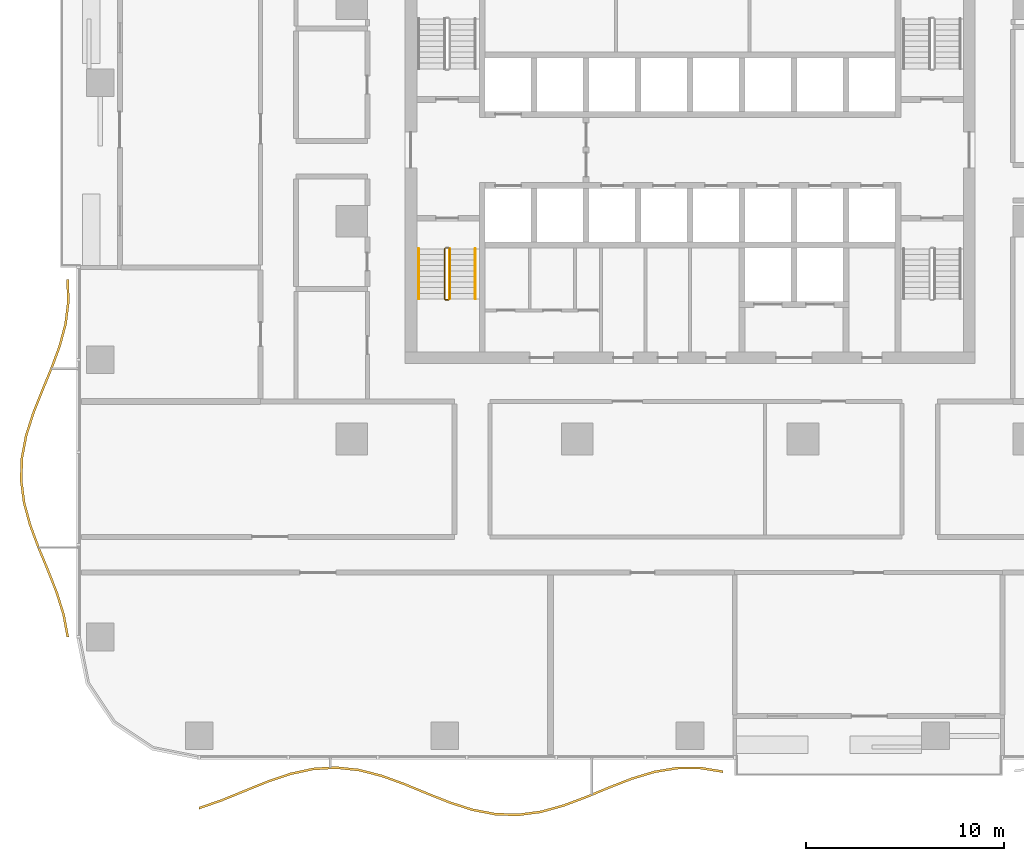
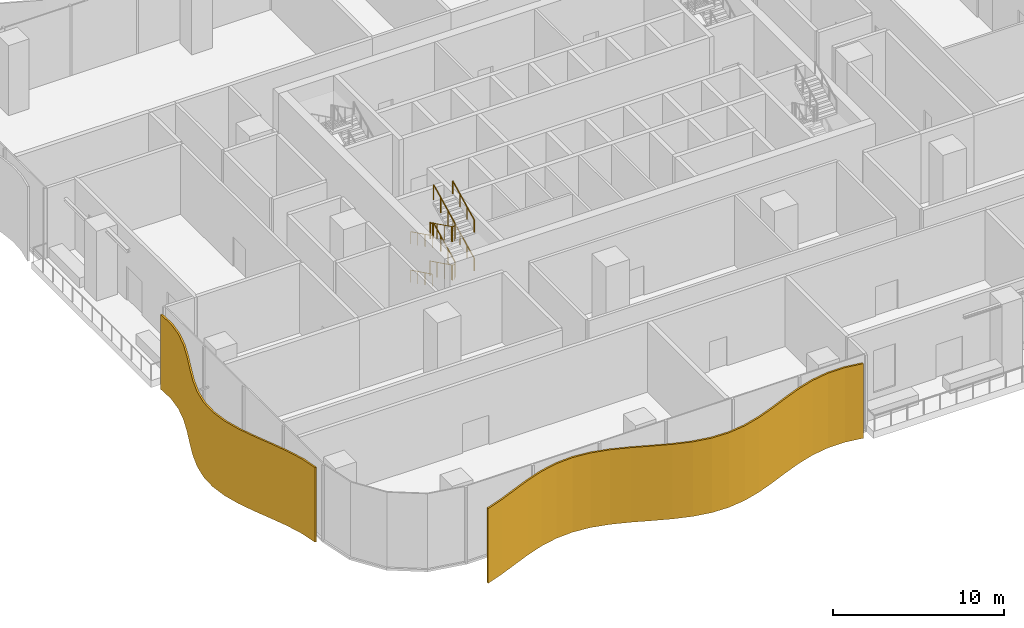
# One storey, part 15 of 21: 8 railings, 2 shading devices.
"""IFC4 building model written with IfcOpenShell, lengths in metres."""

from ifc_helpers import new_model, si_unit, direction, frame, origin, origin_2d, place, context, subcontext, project, spatial, polyline, circle, outline, extrude, material, layer, layer_set, type_object, element, save


model = new_model("IFC4")

# Units and contexts
model_context = context("Model", 3, precision=1e-05, world=origin(), true_north=direction((0.0, 1.0)))
body_context = subcontext(model_context, "Body", "Model", "MODEL_VIEW")
ifc_project = project(units=[si_unit("LENGTHUNIT", "METRE"), si_unit("AREAUNIT", "SQUARE_METRE"), si_unit("VOLUMEUNIT", "CUBIC_METRE"), si_unit("PLANEANGLEUNIT", "RADIAN"), si_unit("MASSUNIT", "GRAM", prefix="KILO")], contexts=[model_context])

# Site, building, storey
site_placement = place(None, origin())
site = spatial("IfcSite", under=ifc_project, at=site_placement, CompositionType="ELEMENT")
building_placement = place(site_placement, origin())
building = spatial("IfcBuilding", under=site, at=building_placement, Name="Mopane Tessera Tower", CompositionType="ELEMENT")
storey_placement = place(building_placement, frame((0.0, 0.0, 20.0)))
storey = spatial("IfcBuildingStorey", under=building, at=storey_placement, Name="L03", CompositionType="ELEMENT", Elevation=20.0)

# Railings
ifc_material_1 = material(Name="Powder-coated steel balustrade", Category="steel")
railing_type_1 = type_object("IfcRailingType", Name="Escape stair guard 1100 mm", PredefinedType="GUARDRAIL", material=ifc_material_1)
railing_1_placement = place(storey_placement, frame((-12.39990234375, -1.39990234375, 0.137451171875)))
element("IfcRailing", 1, at=railing_1_placement, inside=storey, type_object=railing_type_1, Name="L03 ST1 stair guard 1", PredefinedType="GUARDRAIL", context=body_context, shape_type="SweptSolid", body=[
    extrude(circle(Radius=0.02392578125, at=origin_2d()), frame((0.0, 0.0, 1.076171875), z_axis=(0.0, -0.897604431175, 0.440801866075), x_axis=(1.0, 0.0, 0.0)), (0.0, 0.0, 1.0), 2.807373046875),
    extrude(circle(Radius=0.02392578125, at=origin_2d()), frame((0.0, -2.52001953125, 2.3134765625), z_axis=(0.705375805398, -0.708833529934, 0.0), x_axis=(0.708833529934, 0.705375805398, 0.0)), (0.0, 0.0, 1.0), 0.070556640625),
    extrude(circle(Radius=0.02392578125, at=origin_2d()), frame((0.0498046875, -2.570068359375, 2.3134765625), z_axis=(1.0, 0.0, 0.0), x_axis=(0.0, 1.0, 0.0)), (0.0, 0.0, 1.0), 0.150146484375),
    extrude(circle(Radius=0.02099609375, at=origin_2d()), origin(), (0.0, 0.0, 1.0), 1.052001953125),
    extrude(circle(Radius=0.02099609375, at=origin_2d()), frame((0.0, -0.840087890625, 0.41259765625)), (0.0, 0.0, 1.0), 1.052001953125),
    extrude(circle(Radius=0.02099609375, at=origin_2d()), frame((0.0, -1.679931640625, 0.824951171875)), (0.0, 0.0, 1.0), 1.052001953125),
    extrude(circle(Radius=0.02099609375, at=origin_2d()), frame((0.0, -2.52001953125, 1.237548828125)), (0.0, 0.0, 1.0), 1.052001953125),
    extrude(circle(Radius=0.02099609375, at=origin_2d()), frame((0.0498046875, -2.570068359375, 1.237548828125)), (0.0, 0.0, 1.0), 1.052001953125),
    extrude(circle(Radius=0.02099609375, at=origin_2d()), frame((0.199951171875, -2.570068359375, 1.237548828125)), (0.0, 0.0, 1.0), 1.052001953125),
])
railing_2_placement = place(storey_placement, frame((-12.14990234375, -3.919921875, 1.512451171875)))
element("IfcRailing", 2, at=railing_2_placement, inside=storey, type_object=railing_type_1, Name="L03 ST1 stair guard 2", PredefinedType="GUARDRAIL", context=body_context, shape_type="SweptSolid", body=[
    extrude(circle(Radius=0.02392578125, at=origin_2d()), frame((0.0, 0.0, 1.076171875), z_axis=(0.0, 0.897604431175, 0.440801866075), x_axis=(-1.0, 0.0, 0.0)), (0.0, 0.0, 1.0), 2.807373046875),
    extrude(circle(Radius=0.02392578125, at=origin_2d()), frame((0.0, 2.52001953125, 2.3134765625), z_axis=(-0.708833529934, 0.705375805398, 0.0), x_axis=(-0.705375805398, -0.708833529934, 0.0)), (0.0, 0.0, 1.0), 0.070556640625),
    extrude(circle(Radius=0.02392578125, at=origin_2d()), frame((-0.050048828125, 2.56982421875, 2.3134765625), z_axis=(-1.0, 0.0, 0.0), x_axis=(0.0, -1.0, 0.0)), (0.0, 0.0, 1.0), 0.150146484375),
    extrude(circle(Radius=0.02099609375, at=origin_2d()), origin(), (0.0, 0.0, 1.0), 1.052001953125),
    extrude(circle(Radius=0.02099609375, at=origin_2d()), frame((0.0, 0.840087890625, 0.41259765625)), (0.0, 0.0, 1.0), 1.052001953125),
    extrude(circle(Radius=0.02099609375, at=origin_2d()), frame((0.0, 1.679931640625, 0.824951171875)), (0.0, 0.0, 1.0), 1.052001953125),
    extrude(circle(Radius=0.02099609375, at=origin_2d()), frame((0.0, 2.52001953125, 1.237548828125)), (0.0, 0.0, 1.0), 1.052001953125),
    extrude(circle(Radius=0.02099609375, at=origin_2d()), frame((-0.050048828125, 2.56982421875, 1.237548828125)), (0.0, 0.0, 1.0), 1.052001953125),
    extrude(circle(Radius=0.02099609375, at=origin_2d()), frame((-0.2001953125, 2.56982421875, 1.237548828125)), (0.0, 0.0, 1.0), 1.052001953125),
])
railing_3_placement = place(storey_placement, frame((-12.39990234375, -1.39990234375, 2.887451171875)))
element("IfcRailing", 3, at=railing_3_placement, inside=storey, type_object=railing_type_1, Name="L03 ST1 stair guard 3", PredefinedType="GUARDRAIL", context=body_context, shape_type="SweptSolid", body=[
    extrude(circle(Radius=0.02392578125, at=origin_2d()), frame((0.0, 0.0, 1.076171875), z_axis=(0.0, -0.897604431175, 0.440801866075), x_axis=(1.0, 0.0, 0.0)), (0.0, 0.0, 1.0), 2.807373046875),
    extrude(circle(Radius=0.02392578125, at=origin_2d()), frame((0.0, -2.52001953125, 2.3134765625), z_axis=(0.705375805398, -0.708833529934, 0.0), x_axis=(0.708833529934, 0.705375805398, 0.0)), (0.0, 0.0, 1.0), 0.070556640625),
    extrude(circle(Radius=0.02392578125, at=origin_2d()), frame((0.0498046875, -2.570068359375, 2.3134765625), z_axis=(1.0, 0.0, 0.0), x_axis=(0.0, 1.0, 0.0)), (0.0, 0.0, 1.0), 0.150146484375),
    extrude(circle(Radius=0.02099609375, at=origin_2d()), origin(), (0.0, 0.0, 1.0), 1.052001953125),
    extrude(circle(Radius=0.02099609375, at=origin_2d()), frame((0.0, -0.840087890625, 0.41259765625)), (0.0, 0.0, 1.0), 1.052001953125),
    extrude(circle(Radius=0.02099609375, at=origin_2d()), frame((0.0, -1.679931640625, 0.824951171875)), (0.0, 0.0, 1.0), 1.052001953125),
    extrude(circle(Radius=0.02099609375, at=origin_2d()), frame((0.0, -2.52001953125, 1.237548828125)), (0.0, 0.0, 1.0), 1.052001953125),
    extrude(circle(Radius=0.02099609375, at=origin_2d()), frame((0.0498046875, -2.570068359375, 1.237548828125)), (0.0, 0.0, 1.0), 1.052001953125),
    extrude(circle(Radius=0.02099609375, at=origin_2d()), frame((0.199951171875, -2.570068359375, 1.237548828125)), (0.0, 0.0, 1.0), 1.052001953125),
])
railing_4_placement = place(storey_placement, frame((-12.14990234375, -3.919921875, 4.262451171875)))
element("IfcRailing", 4, at=railing_4_placement, inside=storey, type_object=railing_type_1, Name="L03 ST1 stair guard 4", PredefinedType="GUARDRAIL", context=body_context, shape_type="SweptSolid", body=[
    extrude(circle(Radius=0.02392578125, at=origin_2d()), frame((0.0, 0.0, 1.076171875), z_axis=(0.0, 0.897604431175, 0.440801866075), x_axis=(-1.0, 0.0, 0.0)), (0.0, 0.0, 1.0), 2.807373046875),
    extrude(circle(Radius=0.02099609375, at=origin_2d()), origin(), (0.0, 0.0, 1.0), 1.052001953125),
    extrude(circle(Radius=0.02099609375, at=origin_2d()), frame((0.0, 0.840087890625, 0.41259765625)), (0.0, 0.0, 1.0), 1.052001953125),
    extrude(circle(Radius=0.02099609375, at=origin_2d()), frame((0.0, 1.679931640625, 0.824951171875)), (0.0, 0.0, 1.0), 1.052001953125),
    extrude(circle(Radius=0.02099609375, at=origin_2d()), frame((0.0, 2.52001953125, 1.237548828125)), (0.0, 0.0, 1.0), 1.052001953125),
])
ifc_material_2 = material(Name="Powder-coated steel balustrade", Category="steel")
railing_type_2 = type_object("IfcRailingType", Name="Escape stair handrail 900 mm", PredefinedType="HANDRAIL", material=ifc_material_2)
railing_5_placement = place(storey_placement, frame((-13.699951171875, -1.39990234375, 0.137451171875)))
element("IfcRailing", 5, at=railing_5_placement, inside=storey, type_object=railing_type_2, Name="L03 ST1 stair handrail 1", PredefinedType="HANDRAIL", context=body_context, shape_type="SweptSolid", body=[
    extrude(circle(Radius=0.02392578125, at=origin_2d()), frame((0.0, 0.0, 0.8759765625), z_axis=(0.0, -0.897604431175, 0.440801866075), x_axis=(1.0, 0.0, 0.0)), (0.0, 0.0, 1.0), 2.807373046875),
    extrude(circle(Radius=0.02099609375, at=origin_2d()), origin(), (0.0, 0.0, 1.0), 0.851806640625),
    extrude(circle(Radius=0.02099609375, at=origin_2d()), frame((0.0, -0.840087890625, 0.41259765625)), (0.0, 0.0, 1.0), 0.851806640625),
    extrude(circle(Radius=0.02099609375, at=origin_2d()), frame((0.0, -1.679931640625, 0.824951171875)), (0.0, 0.0, 1.0), 0.851806640625),
    extrude(circle(Radius=0.02099609375, at=origin_2d()), frame((0.0, -2.52001953125, 1.237548828125)), (0.0, 0.0, 1.0), 0.851806640625),
])
railing_6_placement = place(storey_placement, frame((-10.85009765625, -3.919921875, 1.512451171875)))
element("IfcRailing", 6, at=railing_6_placement, inside=storey, type_object=railing_type_2, Name="L03 ST1 stair handrail 2", PredefinedType="HANDRAIL", context=body_context, shape_type="SweptSolid", body=[
    extrude(circle(Radius=0.02392578125, at=origin_2d()), frame((0.0, 0.0, 0.8759765625), z_axis=(0.0, 0.897604431175, 0.440801866075), x_axis=(-1.0, 0.0, 0.0)), (0.0, 0.0, 1.0), 2.807373046875),
    extrude(circle(Radius=0.02099609375, at=origin_2d()), origin(), (0.0, 0.0, 1.0), 0.851806640625),
    extrude(circle(Radius=0.02099609375, at=origin_2d()), frame((0.0, 0.840087890625, 0.41259765625)), (0.0, 0.0, 1.0), 0.851806640625),
    extrude(circle(Radius=0.02099609375, at=origin_2d()), frame((0.0, 1.679931640625, 0.824951171875)), (0.0, 0.0, 1.0), 0.851806640625),
    extrude(circle(Radius=0.02099609375, at=origin_2d()), frame((0.0, 2.52001953125, 1.237548828125)), (0.0, 0.0, 1.0), 0.851806640625),
])
railing_7_placement = place(storey_placement, frame((-13.699951171875, -1.39990234375, 2.887451171875)))
element("IfcRailing", 7, at=railing_7_placement, inside=storey, type_object=railing_type_2, Name="L03 ST1 stair handrail 3", PredefinedType="HANDRAIL", context=body_context, shape_type="SweptSolid", body=[
    extrude(circle(Radius=0.02392578125, at=origin_2d()), frame((0.0, 0.0, 0.8759765625), z_axis=(0.0, -0.897604431175, 0.440801866075), x_axis=(1.0, 0.0, 0.0)), (0.0, 0.0, 1.0), 2.807373046875),
    extrude(circle(Radius=0.02099609375, at=origin_2d()), origin(), (0.0, 0.0, 1.0), 0.851806640625),
    extrude(circle(Radius=0.02099609375, at=origin_2d()), frame((0.0, -0.840087890625, 0.41259765625)), (0.0, 0.0, 1.0), 0.851806640625),
    extrude(circle(Radius=0.02099609375, at=origin_2d()), frame((0.0, -1.679931640625, 0.824951171875)), (0.0, 0.0, 1.0), 0.851806640625),
    extrude(circle(Radius=0.02099609375, at=origin_2d()), frame((0.0, -2.52001953125, 1.237548828125)), (0.0, 0.0, 1.0), 0.851806640625),
])
railing_8_placement = place(storey_placement, frame((-10.85009765625, -3.919921875, 4.262451171875)))
element("IfcRailing", 8, at=railing_8_placement, inside=storey, type_object=railing_type_2, Name="L03 ST1 stair handrail 4", PredefinedType="HANDRAIL", context=body_context, shape_type="SweptSolid", body=[
    extrude(circle(Radius=0.02392578125, at=origin_2d()), frame((0.0, 0.0, 0.8759765625), z_axis=(0.0, 0.897604431175, 0.440801866075), x_axis=(-1.0, 0.0, 0.0)), (0.0, 0.0, 1.0), 2.807373046875),
    extrude(circle(Radius=0.02099609375, at=origin_2d()), origin(), (0.0, 0.0, 1.0), 0.851806640625),
    extrude(circle(Radius=0.02099609375, at=origin_2d()), frame((0.0, 0.840087890625, 0.41259765625)), (0.0, 0.0, 1.0), 0.851806640625),
    extrude(circle(Radius=0.02099609375, at=origin_2d()), frame((0.0, 1.679931640625, 0.824951171875)), (0.0, 0.0, 1.0), 0.851806640625),
    extrude(circle(Radius=0.02099609375, at=origin_2d()), frame((0.0, 2.52001953125, 1.237548828125)), (0.0, 0.0, 1.0), 0.851806640625),
])

# Shading devices
ifc_material_3 = material(Name="Anodised aluminium louvre blades", Category="aluminium")
ifc_layer = layer(ifc_material_3, 0.1201171875)
ifc_layer_set = layer_set([ifc_layer], Name="Anodised aluminium louvre blades")
shading_device_type = type_object("IfcShadingDeviceType", Name="Wave louvre screen", PredefinedType="JALOUSIE", material=ifc_layer_set)
shading_device_1_placement = place(storey_placement, frame((0.0, 0.0, -0.340087890625)))
element("IfcShadingDevice", 9, at=shading_device_1_placement, inside=storey, type_object=shading_device_type, Name="e:lv:L03:S:0", PredefinedType="JALOUSIE", context=body_context, shape_type="SweptSolid", body=[
    extrude(outline(polyline([(-24.800048828125, -29.588623046875), (-23.64990234375, -29.189453125), (-22.49951171875, -28.718994140625), (-21.349365234375, -28.251708984375), (-20.19921875, -27.862060546875), (-19.049072265625, -27.6123046875), (-17.89892578125, -27.541748046875), (-16.74853515625, -27.66162109375), (-15.598388671875, -27.953125), (-14.4482421875, -28.369873046875), (-13.298095703125, -28.845458984375), (-12.147705078125, -29.30419921875), (-10.99755859375, -29.673095703125), (-9.847412109375, -29.893798828125), (-8.697265625, -29.930908203125), (-7.547119140625, -29.778564453125), (-6.396728515625, -29.461181640625), (-5.24658203125, -29.029052734375), (-4.096435546875, -28.55078125), (-2.9462890625, -28.102783203125), (-1.796142578125, -27.756103515625), (-0.645751953125, -27.56591796875), (0.50439453125, -27.5625), (1.654541015625, -27.746337890625), (1.654541015625, -27.8662109375), (0.50439453125, -27.682373046875), (-0.645751953125, -27.685791015625), (-1.796142578125, -27.8759765625), (-2.9462890625, -28.22265625), (-4.096435546875, -28.6708984375), (-5.24658203125, -29.14892578125), (-6.396728515625, -29.5810546875), (-7.547119140625, -29.898681640625), (-8.697265625, -30.051025390625), (-9.847412109375, -30.013916015625), (-10.99755859375, -29.793212890625), (-12.147705078125, -29.424072265625), (-13.298095703125, -28.96533203125), (-14.4482421875, -28.489990234375), (-15.598388671875, -28.0732421875), (-16.74853515625, -27.78173828125), (-17.89892578125, -27.66162109375), (-19.049072265625, -27.732177734375), (-20.19921875, -27.982177734375), (-21.349365234375, -28.37158203125), (-22.49951171875, -28.8388671875), (-23.64990234375, -29.3095703125), (-24.800048828125, -29.70849609375), (-24.800048828125, -29.588623046875)])), origin(), (0.0, 0.0, 1.0), 5.340087890625),
])
shading_device_2_placement = place(storey_placement, frame((0.0, 0.0, -0.340087890625)))
element("IfcShadingDevice", 10, at=shading_device_2_placement, inside=storey, type_object=shading_device_type, Name="e:lv:L03:W:1", PredefinedType="JALOUSIE", context=body_context, shape_type="SweptSolid", body=[
    extrude(outline(polyline([(-31.388427734375, -2.933349609375), (-31.34716796875, -4.0625), (-31.48876953125, -5.191650390625), (-31.79150390625, -6.32080078125), (-32.209228515625, -7.449951171875), (-32.677490234375, -8.5791015625), (-33.124755859375, -9.708251953125), (-33.482421875, -10.83740234375), (-33.6953125, -11.966552734375), (-33.731201171875, -13.095947265625), (-33.58447265625, -14.22509765625), (-33.27734375, -15.354248046875), (-32.857421875, -16.4833984375), (-32.388671875, -17.612548828125), (-31.943115234375, -18.74169921875), (-31.589111328125, -19.870849609375), (-31.380859375, -21.0), (-31.5009765625, -21.0), (-31.708984375, -19.870849609375), (-32.06298828125, -18.74169921875), (-32.508544921875, -17.612548828125), (-32.977294921875, -16.4833984375), (-33.3974609375, -15.354248046875), (-33.704345703125, -14.22509765625), (-33.851318359375, -13.095947265625), (-33.8154296875, -11.966552734375), (-33.602294921875, -10.83740234375), (-33.244873046875, -9.708251953125), (-32.797607421875, -8.5791015625), (-32.329345703125, -7.449951171875), (-31.91162109375, -6.32080078125), (-31.60888671875, -5.191650390625), (-31.467041015625, -4.0625), (-31.508544921875, -2.933349609375), (-31.388427734375, -2.933349609375)])), origin(), (0.0, 0.0, 1.0), 5.340087890625),
])

save(model, "model.ifc")
